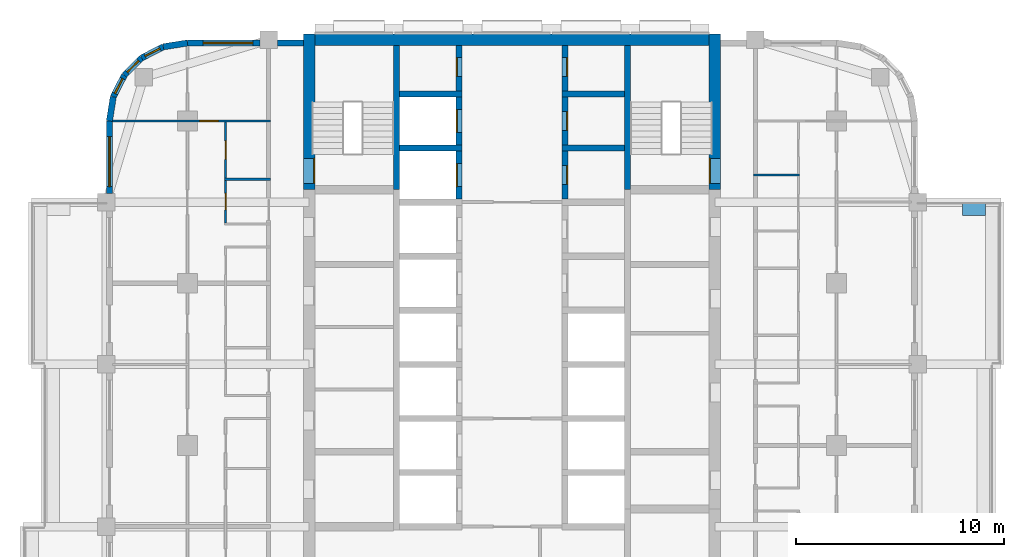
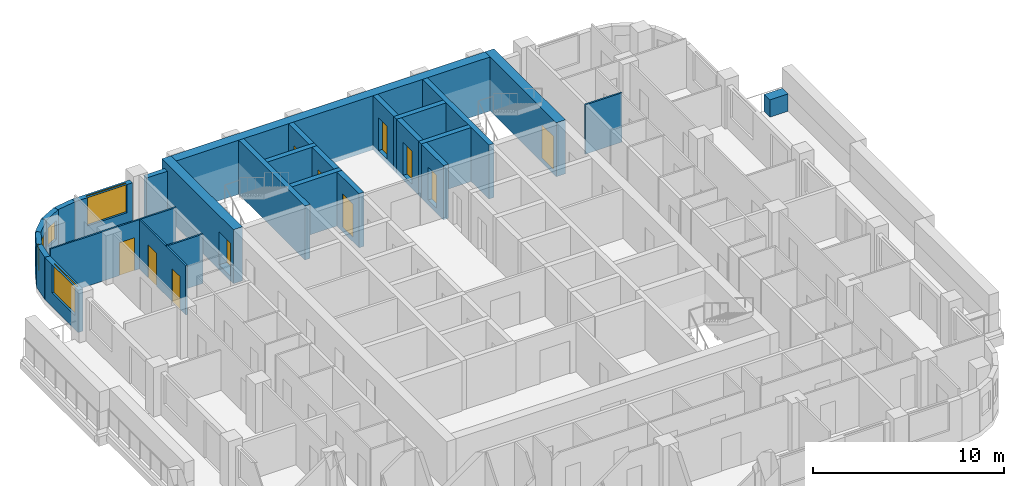
# One storey, part 8 of 13: 28 walls, 11 doors, 5 windows, 16 openings.
"""IFC4 building model written with IfcOpenShell, lengths in metres."""

from ifc_helpers import new_model, si_unit, direction, frame, frame_2d, origin, place, context, subcontext, project, spatial, rectangle, extrude, material, layer, layer_set, type_object, element, fill, save


model = new_model("IFC4")

# Units and contexts
model_context = context("Model", 3, precision=1e-05, world=origin(), true_north=direction((0.0, 1.0)))
body_context = subcontext(model_context, "Body", "Model", "MODEL_VIEW")
ifc_project = project(units=[si_unit("LENGTHUNIT", "METRE"), si_unit("AREAUNIT", "SQUARE_METRE"), si_unit("VOLUMEUNIT", "CUBIC_METRE"), si_unit("PLANEANGLEUNIT", "RADIAN"), si_unit("MASSUNIT", "GRAM", prefix="KILO")], contexts=[model_context])

# Site, building, storey
site_placement = place(None, origin())
site = spatial("IfcSite", under=ifc_project, at=site_placement, CompositionType="ELEMENT")
building_placement = place(site_placement, origin())
building = spatial("IfcBuilding", under=site, at=building_placement, Name="Ludao Terraces", CompositionType="ELEMENT")
storey_placement = place(building_placement, frame((0.0, 0.0, 123.699951171875)))
storey = spatial("IfcBuildingStorey", under=building, at=storey_placement, Name="L33", CompositionType="ELEMENT", Elevation=123.699951171875)

# Wall, opening, door
ifc_material_1 = material(Name="Concrete C60", Category="concrete")
ifc_layer_1 = layer(ifc_material_1, 0.550048828125)
ifc_layer_set_1 = layer_set([ifc_layer_1], Name="Core wall 550 C60")
wall_type_1 = type_object("IfcWallType", Name="Core wall 550 C60", PredefinedType="SOLIDWALL", material=ifc_layer_set_1)
wall_1_placement = place(storey_placement, frame((75.25, 77.300048828125, -0.300048828125), z_axis=(0.0, 0.0, 1.0), x_axis=(0.0, 1.0, 0.0)))
wall_1 = element("IfcWall", 1, at=wall_1_placement, inside=storey, type_object=wall_type_1, Name="Core wall L33 outer-W-S1", PredefinedType="SOLIDWALL", context=body_context, shape_type="SweptSolid", body=[
    extrude(rectangle(XDim=7.474853515625, YDim=0.550048828125, at=frame_2d((3.7373046875, 0.0))), origin(), (0.0, 0.0, 1.0), 3.4501953125),
])
opening_1_placement = place(wall_1_placement, frame((0.300048828125, 0.0, 0.300048828125)))
opening_1 = element("IfcOpeningElement", 2, at=opening_1_placement, cuts=wall_1, Name="Opening R10-082", PredefinedType="OPENING", context=body_context, shape_type="SweptSolid", body=[
    extrude(rectangle(XDim=1.199951171875, YDim=2.10009765625, at=frame_2d((0.60009765625, 1.050048828125))), frame((0.0, 0.28515625, 0.0), z_axis=(0.0, -1.0, 0.0), x_axis=(1.0, 0.0, 0.0)), (0.0, 0.0, 1.0), 0.570068359375),
])
ifc_material_2 = material(Name="Steel Q235", Category="steel")
door_type_1 = type_object("IfcDoorType", Name="INT Stair door 1200", OperationType="DOUBLE_DOOR_SINGLE_SWING", PredefinedType="DOOR", material=ifc_material_2)
door_1_placement = place(opening_1_placement, origin())
door_1 = element("IfcDoor", 3, at=door_1_placement, inside=storey, type_object=door_type_1, Name="DOOR 082", OperationType="DOUBLE_DOOR_SINGLE_SWING", OverallHeight=2.10009765625, OverallWidth=1.199951171875, PredefinedType="DOOR", context=body_context, shape_type="SweptSolid", body=[
    extrude(rectangle(XDim=1.199951171875, YDim=2.10009765625, at=frame_2d((0.60009765625, 1.050048828125))), frame((0.0, -0.2099609375, 0.0), z_axis=(0.0, -1.0, 0.0), x_axis=(1.0, 0.0, 0.0)), (0.0, 0.0, 1.0), 0.050048828125),
])
fill(opening_1, door_1)

wall_2_placement = place(storey_placement, frame((94.75, 77.300048828125, -0.300048828125), z_axis=(0.0, 0.0, 1.0), x_axis=(0.0, 1.0, 0.0)))
wall_2 = element("IfcWall", 4, at=wall_2_placement, inside=storey, type_object=wall_type_1, Name="Core wall L33 outer-E-S2", PredefinedType="SOLIDWALL", context=body_context, shape_type="SweptSolid", body=[
    extrude(rectangle(XDim=7.474853515625, YDim=0.550048828125, at=frame_2d((3.7373046875, 0.0))), origin(), (0.0, 0.0, 1.0), 3.4501953125),
])
opening_2_placement = place(wall_2_placement, frame((0.300048828125, 0.0, 0.300048828125)))
opening_2 = element("IfcOpeningElement", 5, at=opening_2_placement, cuts=wall_2, Name="Opening R10-083", PredefinedType="OPENING", context=body_context, shape_type="SweptSolid", body=[
    extrude(rectangle(XDim=1.199951171875, YDim=2.10009765625, at=frame_2d((0.60009765625, 1.050048828125))), frame((0.0, 0.28515625, 0.0), z_axis=(0.0, -1.0, 0.0), x_axis=(1.0, 0.0, 0.0)), (0.0, 0.0, 1.0), 0.570068359375),
])
door_2_placement = place(opening_2_placement, origin())
door_2 = element("IfcDoor", 6, at=door_2_placement, inside=storey, type_object=door_type_1, Name="DOOR 083", OperationType="DOUBLE_DOOR_SINGLE_SWING", OverallHeight=2.10009765625, OverallWidth=1.199951171875, PredefinedType="DOOR", context=body_context, shape_type="SweptSolid", body=[
    extrude(rectangle(XDim=1.199951171875, YDim=2.10009765625, at=frame_2d((0.60009765625, 1.050048828125))), frame((0.0, 0.26025390625, 0.0), z_axis=(0.0, -1.0, 0.0), x_axis=(1.0, 0.0, 0.0)), (0.0, 0.0, 1.0), 0.050048828125),
])
fill(opening_2, door_2)

# Walls
wall_3_placement = place(storey_placement, frame((75.52490234375, 84.5, -0.300048828125), z_axis=(0.0, 0.0, 1.0), x_axis=(1.0, 0.0, 0.0)))
element("IfcWall", 7, at=wall_3_placement, inside=storey, type_object=wall_type_1, Name="Core wall L33 outer-N", PredefinedType="SOLIDWALL", context=body_context, shape_type="SweptSolid", body=[
    extrude(rectangle(XDim=18.9501953125, YDim=0.550048828125, at=frame_2d((9.47509765625, 0.0))), origin(), (0.0, 0.0, 1.0), 3.4501953125),
])
ifc_material_3 = material(Name="Concrete C40", Category="concrete")
ifc_layer_2 = layer(ifc_material_3, 0.60009765625)
ifc_layer_set_2 = layer_set([ifc_layer_2], Name="ENV Planter trough 600")
wall_type_2 = type_object("IfcWallType", Name="ENV Planter trough 600", PredefinedType="USERDEFINED", material=ifc_layer_set_2)
wall_4_placement = place(storey_placement, frame((107.75, 76.35009765625, 0.0), z_axis=(0.0, 0.0, 1.0), x_axis=(-1.0, 0.0, 0.0)))
element("IfcWall", 8, at=wall_4_placement, inside=storey, type_object=wall_type_2, Name="PL-L33-E3-SB", ObjectType="PLANTER", PredefinedType="USERDEFINED", context=body_context, shape_type="SweptSolid", body=[
    extrude(rectangle(XDim=1.10009765625, YDim=0.60009765625, at=frame_2d((0.550048828125, 0.0))), origin(), (0.0, 0.0, 1.0), 1.10009765625),
])

# Wall, opening, window
ifc_material_4 = material(Name="Granite cladding", Category="masonry")
ifc_layer_3 = layer(ifc_material_4, 0.0400390625, Category="stone")
ifc_material_5 = material(Name="Mineral wool")
ifc_layer_4 = layer(ifc_material_5, 0.06005859375)
ifc_layer_5 = layer(ifc_material_3, 0.199951171875, Category="concrete")
ifc_layer_set_3 = layer_set([ifc_layer_3, ifc_layer_4, ifc_layer_5], Name="ENV Stone-clad wall 300")
wall_type_3 = type_object("IfcWallType", Name="ENV Stone-clad wall 300", PredefinedType="SOLIDWALL", material=ifc_layer_set_3)
wall_5_placement = place(storey_placement, frame((69.39990234375, 84.35009765625, 0.0), z_axis=(0.0, 0.0, 1.0), x_axis=(1.0, 0.0, 0.0)))
wall_5 = element("IfcWall", 9, at=wall_5_placement, inside=storey, type_object=wall_type_3, Name="EW-L33-N1", PredefinedType="SOLIDWALL", context=body_context, shape_type="SweptSolid", body=[
    extrude(rectangle(XDim=3.47509765625, YDim=0.300048828125, at=frame_2d((1.737548828125, 0.0))), origin(), (0.0, 0.0, 1.0), 2.699951171875),
])
opening_3_placement = place(wall_5_placement, frame((0.75, 0.0, 0.89990234375)))
opening_3 = element("IfcOpeningElement", 10, at=opening_3_placement, cuts=wall_5, Name="Opening W1", PredefinedType="OPENING", context=body_context, shape_type="SweptSolid", body=[
    extrude(rectangle(XDim=2.39990234375, YDim=1.800048828125, at=frame_2d((1.199951171875, 0.89990234375))), frame((0.0, 0.16015625, 0.0), z_axis=(0.0, -1.0, 0.0), x_axis=(1.0, 0.0, 0.0)), (0.0, 0.0, 1.0), 0.320068359375),
])
ifc_material_6 = material(Name="Clear glass in aluminium frame", Category="aluminium")
ifc_layer_6 = layer(ifc_material_6, 0.06005859375)
ifc_layer_set_4 = layer_set([ifc_layer_6], Name="ENV Window W1 2400x1800")
window_type_1 = type_object("IfcWindowType", Name="ENV Window W1 2400x1800", PartitioningType="DOUBLE_PANEL_VERTICAL", PredefinedType="WINDOW", material=ifc_layer_set_4)
window_1_placement = place(opening_3_placement, origin())
window_1 = element("IfcWindow", 11, at=window_1_placement, inside=storey, type_object=window_type_1, Name="W-L33-N1-1", OverallHeight=1.800048828125, OverallWidth=2.39990234375, PartitioningType="DOUBLE_PANEL_VERTICAL", PredefinedType="WINDOW", context=body_context, shape_type="SweptSolid", body=[
    extrude(rectangle(XDim=2.39990234375, YDim=1.800048828125, at=frame_2d((1.199951171875, 0.89990234375))), frame((0.0, 0.030029296875, 0.0), z_axis=(0.0, -1.0, 0.0), x_axis=(1.0, 0.0, 0.0)), (0.0, 0.0, 1.0), 0.06005859375),
])
fill(opening_3, window_1)

# Wall
wall_6_placement = place(storey_placement, frame((73.72509765625, 84.35009765625, 0.0), z_axis=(0.0, 0.0, 1.0), x_axis=(1.0, 0.0, 0.0)))
element("IfcWall", 12, at=wall_6_placement, inside=storey, type_object=wall_type_3, Name="EW-L33-N2", PredefinedType="SOLIDWALL", context=body_context, shape_type="SweptSolid", body=[
    extrude(rectangle(XDim=1.25, YDim=0.300048828125, at=frame_2d((0.625, 0.0))), origin(), (0.0, 0.0, 1.0), 2.699951171875),
])

# Wall, opening, window
wall_7_placement = place(storey_placement, frame((65.64990234375, 77.125, 0.0), z_axis=(0.0, 0.0, 1.0), x_axis=(0.0, 1.0, 0.0)))
wall_7 = element("IfcWall", 13, at=wall_7_placement, inside=storey, type_object=wall_type_3, Name="EW-L33-W5", PredefinedType="SOLIDWALL", context=body_context, shape_type="SweptSolid", body=[
    extrude(rectangle(XDim=3.47509765625, YDim=0.300048828125, at=frame_2d((1.737548828125, 0.0))), origin(), (0.0, 0.0, 1.0), 2.699951171875),
])
opening_4_placement = place(wall_7_placement, frame((0.324951171875, 0.0, 0.89990234375)))
opening_4 = element("IfcOpeningElement", 14, at=opening_4_placement, cuts=wall_7, Name="Opening W1", PredefinedType="OPENING", context=body_context, shape_type="SweptSolid", body=[
    extrude(rectangle(XDim=2.39990234375, YDim=1.800048828125, at=frame_2d((1.199951171875, 0.89990234375))), frame((0.0, 0.16015625, 0.0), z_axis=(0.0, -1.0, 0.0), x_axis=(1.0, 0.0, 0.0)), (0.0, 0.0, 1.0), 0.320068359375),
])
window_2_placement = place(opening_4_placement, origin())
window_2 = element("IfcWindow", 15, at=window_2_placement, inside=storey, type_object=window_type_1, Name="W-L33-W5-1", OverallHeight=1.800048828125, OverallWidth=2.39990234375, PartitioningType="DOUBLE_PANEL_VERTICAL", PredefinedType="WINDOW", context=body_context, shape_type="SweptSolid", body=[
    extrude(rectangle(XDim=2.39990234375, YDim=1.800048828125, at=frame_2d((1.199951171875, 0.89990234375))), frame((0.0, 0.030029296875, 0.0), z_axis=(0.0, -1.0, 0.0), x_axis=(1.0, 0.0, 0.0)), (0.0, 0.0, 1.0), 0.06005859375),
])
fill(opening_4, window_2)

# Wall
wall_8_placement = place(storey_placement, frame((69.39990234375, 84.35009765625, 0.0), z_axis=(0.0, 0.0, 1.0), x_axis=(-0.987678452879, -0.156496880861, 0.0)))
element("IfcWall", 16, at=wall_8_placement, inside=storey, type_object=wall_type_3, Name="EW-L33-NW1", PredefinedType="SOLIDWALL", context=body_context, shape_type="SweptSolid", body=[
    extrude(rectangle(XDim=1.173095703125, YDim=0.300048828125, at=frame_2d((0.58642578125, 0.0))), origin(), (0.0, 0.0, 1.0), 2.699951171875),
])

# Wall, opening, window
wall_9_placement = place(storey_placement, frame((68.2412109375, 84.16650390625, 0.0), z_axis=(0.0, 0.0, 1.0), x_axis=(-0.890988677504, -0.454025524128, 0.0)))
wall_9 = element("IfcWall", 17, at=wall_9_placement, inside=storey, type_object=wall_type_3, Name="EW-L33-NW2", PredefinedType="SOLIDWALL", context=body_context, shape_type="SweptSolid", body=[
    extrude(rectangle(XDim=1.17333984375, YDim=0.300048828125, at=frame_2d((0.586669921875, 0.0))), origin(), (0.0, 0.0, 1.0), 2.699951171875),
])
opening_5_placement = place(wall_9_placement, frame((0.1865234375, 0.0, 0.89990234375)))
opening_5 = element("IfcOpeningElement", 18, at=opening_5_placement, cuts=wall_9, Name="Opening W3", PredefinedType="OPENING", context=body_context, shape_type="SweptSolid", body=[
    extrude(rectangle(XDim=0.800048828125, YDim=1.199951171875, at=frame_2d((0.39990234375, 0.60009765625))), frame((0.0, 0.16015625, 0.0), z_axis=(0.0, -1.0, 0.0), x_axis=(1.0, 0.0, 0.0)), (0.0, 0.0, 1.0), 0.320068359375),
])
ifc_layer_7 = layer(ifc_material_6, 0.06005859375)
ifc_layer_set_5 = layer_set([ifc_layer_7], Name="ENV Window W3 800x1200")
window_type_2 = type_object("IfcWindowType", Name="ENV Window W3 800x1200", PartitioningType="SINGLE_PANEL", PredefinedType="WINDOW", material=ifc_layer_set_5)
window_3_placement = place(opening_5_placement, origin())
window_3 = element("IfcWindow", 19, at=window_3_placement, inside=storey, type_object=window_type_2, Name="W-L33-NW2", OverallHeight=1.199951171875, OverallWidth=0.800048828125, PartitioningType="SINGLE_PANEL", PredefinedType="WINDOW", context=body_context, shape_type="SweptSolid", body=[
    extrude(rectangle(XDim=0.800048828125, YDim=1.199951171875, at=frame_2d((0.39990234375, 0.60009765625))), frame((0.0, 0.030029296875, 0.0), z_axis=(0.0, -1.0, 0.0), x_axis=(1.0, 0.0, 0.0)), (0.0, 0.0, 1.0), 0.06005859375),
])
fill(opening_5, window_3)

wall_10_placement = place(storey_placement, frame((67.19580078125, 83.6337890625, 0.0), z_axis=(0.0, 0.0, 1.0), x_axis=(-0.707106781187, -0.707106781187, 0.0)))
wall_10 = element("IfcWall", 20, at=wall_10_placement, inside=storey, type_object=wall_type_3, Name="EW-L33-NW3", PredefinedType="SOLIDWALL", context=body_context, shape_type="SweptSolid", body=[
    extrude(rectangle(XDim=1.173095703125, YDim=0.300048828125, at=frame_2d((0.58642578125, 0.0))), origin(), (0.0, 0.0, 1.0), 2.699951171875),
])
opening_6_placement = place(wall_10_placement, frame((0.1865234375, 0.0, 0.89990234375)))
opening_6 = element("IfcOpeningElement", 21, at=opening_6_placement, cuts=wall_10, Name="Opening W3", PredefinedType="OPENING", context=body_context, shape_type="SweptSolid", body=[
    extrude(rectangle(XDim=0.800048828125, YDim=1.199951171875, at=frame_2d((0.39990234375, 0.60009765625))), frame((0.0, 0.16015625, 0.0), z_axis=(0.0, -1.0, 0.0), x_axis=(1.0, 0.0, 0.0)), (0.0, 0.0, 1.0), 0.320068359375),
])
window_4_placement = place(opening_6_placement, origin())
window_4 = element("IfcWindow", 22, at=window_4_placement, inside=storey, type_object=window_type_2, Name="W-L33-NW3", OverallHeight=1.199951171875, OverallWidth=0.800048828125, PartitioningType="SINGLE_PANEL", PredefinedType="WINDOW", context=body_context, shape_type="SweptSolid", body=[
    extrude(rectangle(XDim=0.800048828125, YDim=1.199951171875, at=frame_2d((0.39990234375, 0.60009765625))), frame((0.0, 0.030029296875, 0.0), z_axis=(0.0, -1.0, 0.0), x_axis=(1.0, 0.0, 0.0)), (0.0, 0.0, 1.0), 0.06005859375),
])
fill(opening_6, window_4)

wall_11_placement = place(storey_placement, frame((66.3662109375, 82.80419921875, 0.0), z_axis=(0.0, 0.0, 1.0), x_axis=(-0.454025524128, -0.890988677504, 0.0)))
wall_11 = element("IfcWall", 23, at=wall_11_placement, inside=storey, type_object=wall_type_3, Name="EW-L33-NW4", PredefinedType="SOLIDWALL", context=body_context, shape_type="SweptSolid", body=[
    extrude(rectangle(XDim=1.17333984375, YDim=0.300048828125, at=frame_2d((0.586669921875, 0.0))), origin(), (0.0, 0.0, 1.0), 2.699951171875),
])
opening_7_placement = place(wall_11_placement, frame((0.1865234375, 0.0, 0.89990234375)))
opening_7 = element("IfcOpeningElement", 24, at=opening_7_placement, cuts=wall_11, Name="Opening W3", PredefinedType="OPENING", context=body_context, shape_type="SweptSolid", body=[
    extrude(rectangle(XDim=0.800048828125, YDim=1.199951171875, at=frame_2d((0.39990234375, 0.60009765625))), frame((0.0, 0.16015625, 0.0), z_axis=(0.0, -1.0, 0.0), x_axis=(1.0, 0.0, 0.0)), (0.0, 0.0, 1.0), 0.320068359375),
])
window_5_placement = place(opening_7_placement, origin())
window_5 = element("IfcWindow", 25, at=window_5_placement, inside=storey, type_object=window_type_2, Name="W-L33-NW4", OverallHeight=1.199951171875, OverallWidth=0.800048828125, PartitioningType="SINGLE_PANEL", PredefinedType="WINDOW", context=body_context, shape_type="SweptSolid", body=[
    extrude(rectangle(XDim=0.800048828125, YDim=1.199951171875, at=frame_2d((0.39990234375, 0.60009765625))), frame((0.0, 0.030029296875, 0.0), z_axis=(0.0, -1.0, 0.0), x_axis=(1.0, 0.0, 0.0)), (0.0, 0.0, 1.0), 0.06005859375),
])
fill(opening_7, window_5)

# Walls
wall_12_placement = place(storey_placement, frame((65.83349609375, 81.7587890625, 0.0), z_axis=(0.0, 0.0, 1.0), x_axis=(-0.156496880861, -0.987678452879, 0.0)))
element("IfcWall", 26, at=wall_12_placement, inside=storey, type_object=wall_type_3, Name="EW-L33-NW5", PredefinedType="SOLIDWALL", context=body_context, shape_type="SweptSolid", body=[
    extrude(rectangle(XDim=1.173095703125, YDim=0.300048828125, at=frame_2d((0.58642578125, 0.0))), origin(), (0.0, 0.0, 1.0), 2.699951171875),
])
ifc_material_7 = material(Name="Gypsum plasterboard", Category="gypsum")
ifc_layer_8 = layer(ifc_material_7, 0.012451171875, Category="gypsum")
ifc_layer_9 = layer(ifc_material_5, 0.06005859375, Name="insulation")
ifc_layer_10 = layer(ifc_material_2, 0.014892578125, Name="stud")
ifc_layer_11 = layer(ifc_material_7, 0.012451171875, Category="gypsum")
ifc_layer_set_6 = layer_set([ifc_layer_8, ifc_layer_9, ifc_layer_10, ifc_layer_11], Name="INT Partition 100")
wall_type_4 = type_object("IfcWallType", Name="INT Partition 100", PredefinedType="PARTITIONING", material=ifc_layer_set_6)
for number, where, z_axis, x_axis, name in (
    (27, (71.18017578125, 77.800048828125, 0.0), (0.0, 0.0, 1.0), (1.0, 0.0, 0.0), "PW-L33-PW042"),
    (28, (96.60009765625, 78.0, 0.0), (0.0, 0.0, 1.0), (1.0, 0.0, 0.0), "PW-L33-PW043"),
):
    element("IfcWall", number, at=place(storey_placement, frame(where, z_axis=z_axis, x_axis=x_axis)), inside=storey, type_object=wall_type_4, Name=name, PredefinedType="PARTITIONING", context=body_context, shape_type="SweptSolid", body=[
        extrude(rectangle(XDim=2.219970703125, YDim=0.10009765625, at=frame_2d((1.10986328125, 0.0))), origin(), (0.0, 0.0, 1.0), 3.150146484375),
    ])

# Wall, opening, door
wall_13_placement = place(storey_placement, frame((65.800048828125, 80.60009765625, 0.0), z_axis=(0.0, 0.0, 1.0), x_axis=(1.0, 0.0, 0.0)))
wall_13 = element("IfcWall", 29, at=wall_13_placement, inside=storey, type_object=wall_type_4, Name="PW-L33-PW044", PredefinedType="PARTITIONING", context=body_context, shape_type="SweptSolid", body=[
    extrude(rectangle(XDim=7.60009765625, YDim=0.10009765625, at=frame_2d((3.800048828125, 0.0))), origin(), (0.0, 0.0, 1.0), 3.150146484375),
])
opening_8_placement = place(wall_13_placement, frame((4.18994140625, 0.0, 0.0)))
opening_8 = element("IfcOpeningElement", 30, at=opening_8_placement, cuts=wall_13, Name="Opening R10-087", PredefinedType="OPENING", context=body_context, shape_type="SweptSolid", body=[
    extrude(rectangle(XDim=0.89990234375, YDim=2.10009765625, at=frame_2d((0.449951171875, 1.050048828125))), frame((0.0, 0.06005859375, 0.0), z_axis=(0.0, -1.0, 0.0), x_axis=(1.0, 0.0, 0.0)), (0.0, 0.0, 1.0), 0.1201171875),
])
ifc_material_8 = material(Name="Timber door leaf", Category="wood")
door_type_2 = type_object("IfcDoorType", Name="INT Room door 900", OperationType="SINGLE_SWING_LEFT", PredefinedType="DOOR", material=ifc_material_8)
door_3_placement = place(opening_8_placement, origin())
door_3 = element("IfcDoor", 31, at=door_3_placement, inside=storey, type_object=door_type_2, Name="DOOR 087", OperationType="SINGLE_SWING_LEFT", OverallHeight=2.10009765625, OverallWidth=0.89990234375, PredefinedType="DOOR", context=body_context, shape_type="SweptSolid", body=[
    extrude(rectangle(XDim=0.89990234375, YDim=2.10009765625, at=frame_2d((0.449951171875, 1.050048828125))), frame((0.0, 0.02490234375, 0.0), z_axis=(0.0, -1.0, 0.0), x_axis=(1.0, 0.0, 0.0)), (0.0, 0.0, 1.0), 0.050048828125),
])
fill(opening_8, door_3)

# Wall, openings, doors
wall_14_placement = place(storey_placement, frame((71.22998046875, 75.7001953125, 0.0), z_axis=(0.0, 0.0, 1.0), x_axis=(0.0, 1.0, 0.0)))
wall_14 = element("IfcWall", 32, at=wall_14_placement, inside=storey, type_object=wall_type_4, Name="PW-L33-PW050", PredefinedType="PARTITIONING", context=body_context, shape_type="SweptSolid", body=[
    extrude(rectangle(XDim=4.849853515625, YDim=0.10009765625, at=frame_2d((2.4248046875, 0.0))), origin(), (0.0, 0.0, 1.0), 3.150146484375),
])
opening_9_placement = place(wall_14_placement, frame((0.625, 0.0, 0.0)))
opening_9 = element("IfcOpeningElement", 33, at=opening_9_placement, cuts=wall_14, Name="Opening R10-079", PredefinedType="OPENING", context=body_context, shape_type="SweptSolid", body=[
    extrude(rectangle(XDim=0.800048828125, YDim=2.10009765625, at=frame_2d((0.39990234375, 1.050048828125))), frame((0.0, 0.06005859375, 0.0), z_axis=(0.0, -1.0, 0.0), x_axis=(1.0, 0.0, 0.0)), (0.0, 0.0, 1.0), 0.1201171875),
])
opening_10_placement = place(wall_14_placement, frame((3.0498046875, 0.0, 0.0)))
opening_10 = element("IfcOpeningElement", 34, at=opening_10_placement, cuts=wall_14, Name="Opening R10-085", PredefinedType="OPENING", context=body_context, shape_type="SweptSolid", body=[
    extrude(rectangle(XDim=0.89990234375, YDim=2.10009765625, at=frame_2d((0.449951171875, 1.050048828125))), frame((0.0, 0.06005859375, 0.0), z_axis=(0.0, -1.0, 0.0), x_axis=(1.0, 0.0, 0.0)), (0.0, 0.0, 1.0), 0.1201171875),
])
door_4_placement = place(opening_10_placement, origin())
door_4 = element("IfcDoor", 35, at=door_4_placement, inside=storey, type_object=door_type_2, Name="DOOR 085", OperationType="SINGLE_SWING_RIGHT", OverallHeight=2.10009765625, OverallWidth=0.89990234375, PredefinedType="DOOR", context=body_context, shape_type="SweptSolid", body=[
    extrude(rectangle(XDim=0.89990234375, YDim=2.10009765625, at=frame_2d((0.449951171875, 1.050048828125))), frame((0.0, 0.02490234375, 0.0), z_axis=(0.0, -1.0, 0.0), x_axis=(1.0, 0.0, 0.0)), (0.0, 0.0, 1.0), 0.050048828125),
])
fill(opening_10, door_4)
door_type_3 = type_object("IfcDoorType", Name="INT Store door 800", OperationType="SINGLE_SWING_LEFT", PredefinedType="DOOR", material=ifc_material_8)
door_5_placement = place(opening_9_placement, origin())
door_5 = element("IfcDoor", 36, at=door_5_placement, inside=storey, type_object=door_type_3, Name="DOOR 079", OperationType="SINGLE_SWING_LEFT", OverallHeight=2.10009765625, OverallWidth=0.800048828125, PredefinedType="DOOR", context=body_context, shape_type="SweptSolid", body=[
    extrude(rectangle(XDim=0.800048828125, YDim=2.10009765625, at=frame_2d((0.39990234375, 1.050048828125))), frame((0.0, 0.02490234375, 0.0), z_axis=(0.0, -1.0, 0.0), x_axis=(1.0, 0.0, 0.0)), (0.0, 0.0, 1.0), 0.050048828125),
])
fill(opening_9, door_5)

# Walls
ifc_material_9 = material(Name="Concrete C55", Category="concrete")
ifc_layer_12 = layer(ifc_material_9, 0.300048828125)
ifc_layer_set_7 = layer_set([ifc_layer_12], Name="Shaft wall 300 C55")
wall_type_5 = type_object("IfcWallType", Name="Shaft wall 300 C55", PredefinedType="SOLIDWALL", material=ifc_layer_set_7)
for number, where, z_axis, x_axis, name in (
    (37, (79.449951171875, 77.300048828125, -0.300048828125), (0.0, 0.0, 1.0), (0.0, 1.0, 0.0), "Core wall L33 back-W-S1"),
    (38, (90.550048828125, 77.300048828125, -0.300048828125), (0.0, 0.0, 1.0), (0.0, 1.0, 0.0), "Core wall L33 back-E-S2"),
):
    element("IfcWall", number, at=place(storey_placement, frame(where, z_axis=z_axis, x_axis=x_axis)), inside=storey, type_object=wall_type_5, Name=name, PredefinedType="SOLIDWALL", context=body_context, shape_type="SweptSolid", body=[
        extrude(rectangle(XDim=6.925048828125, YDim=0.300048828125, at=frame_2d((3.46240234375, 0.0))), origin(), (0.0, 0.0, 1.0), 3.4501953125),
    ])

# Wall, opening, door
wall_15_placement = place(storey_placement, frame((82.449951171875, 76.85009765625, -0.300048828125), z_axis=(0.0, 0.0, 1.0), x_axis=(0.0, 1.0, 0.0)))
wall_15 = element("IfcWall", 39, at=wall_15_placement, inside=storey, type_object=wall_type_5, Name="Core wall L33 front-W7", PredefinedType="SOLIDWALL", context=body_context, shape_type="SweptSolid", body=[
    extrude(rectangle(XDim=2.2998046875, YDim=0.300048828125, at=frame_2d((1.14990234375, 0.0))), origin(), (0.0, 0.0, 1.0), 3.4501953125),
])
opening_11_placement = place(wall_15_placement, frame((0.60009765625, 0.0, 0.300048828125)))
opening_11 = element("IfcOpeningElement", 40, at=opening_11_placement, cuts=wall_15, Name="Opening LD-FF1", PredefinedType="OPENING", context=body_context, shape_type="SweptSolid", body=[
    extrude(rectangle(XDim=1.10009765625, YDim=2.10009765625, at=frame_2d((0.550048828125, 1.050048828125))), frame((0.0, 0.16015625, 0.0), z_axis=(0.0, -1.0, 0.0), x_axis=(1.0, 0.0, 0.0)), (0.0, 0.0, 1.0), 0.320068359375),
])
ifc_material_10 = material(Name="Stainless steel 304", Category="steel")
door_type_4 = type_object("IfcDoorType", Name="INT Lift landing door 1100", OperationType="SLIDING_TO_LEFT", PredefinedType="DOOR", material=ifc_material_10)
door_6_placement = place(opening_11_placement, origin())
door_6 = element("IfcDoor", 41, at=door_6_placement, inside=storey, type_object=door_type_4, Name="LANDING DOOR FF1 L33", OperationType="SLIDING_TO_LEFT", OverallHeight=2.10009765625, OverallWidth=1.10009765625, PredefinedType="DOOR", context=body_context, shape_type="SweptSolid", body=[
    extrude(rectangle(XDim=1.10009765625, YDim=2.10009765625, at=frame_2d((0.550048828125, 1.050048828125))), frame((0.0, 0.13525390625, 0.0), z_axis=(0.0, -1.0, 0.0), x_axis=(1.0, 0.0, 0.0)), (0.0, 0.0, 1.0), 0.050048828125),
])
fill(opening_11, door_6)

# Wall
wall_16_placement = place(storey_placement, frame((79.60009765625, 79.300048828125, -0.300048828125), z_axis=(0.0, 0.0, 1.0), x_axis=(1.0, 0.0, 0.0)))
element("IfcWall", 42, at=wall_16_placement, inside=storey, type_object=wall_type_5, Name="Core wall L33 div-W8", PredefinedType="SOLIDWALL", context=body_context, shape_type="SweptSolid", body=[
    extrude(rectangle(XDim=3.0, YDim=0.300048828125, at=frame_2d((1.5, 0.0))), origin(), (0.0, 0.0, 1.0), 3.4501953125),
])

# Wall, opening, door
wall_17_placement = place(storey_placement, frame((82.449951171875, 79.449951171875, -0.300048828125), z_axis=(0.0, 0.0, 1.0), x_axis=(0.0, 1.0, 0.0)))
wall_17 = element("IfcWall", 43, at=wall_17_placement, inside=storey, type_object=wall_type_5, Name="Core wall L33 front-W8", PredefinedType="SOLIDWALL", context=body_context, shape_type="SweptSolid", body=[
    extrude(rectangle(XDim=2.300048828125, YDim=0.300048828125, at=frame_2d((1.14990234375, 0.0))), origin(), (0.0, 0.0, 1.0), 3.4501953125),
])
opening_12_placement = place(wall_17_placement, frame((0.60009765625, 0.0, 0.300048828125)))
opening_12 = element("IfcOpeningElement", 44, at=opening_12_placement, cuts=wall_17, Name="Opening LD-FF2", PredefinedType="OPENING", context=body_context, shape_type="SweptSolid", body=[
    extrude(rectangle(XDim=1.10009765625, YDim=2.10009765625, at=frame_2d((0.550048828125, 1.050048828125))), frame((0.0, 0.16015625, 0.0), z_axis=(0.0, -1.0, 0.0), x_axis=(1.0, 0.0, 0.0)), (0.0, 0.0, 1.0), 0.320068359375),
])
door_7_placement = place(opening_12_placement, origin())
door_7 = element("IfcDoor", 45, at=door_7_placement, inside=storey, type_object=door_type_4, Name="LANDING DOOR FF2 L33", OperationType="SLIDING_TO_LEFT", OverallHeight=2.10009765625, OverallWidth=1.10009765625, PredefinedType="DOOR", context=body_context, shape_type="SweptSolid", body=[
    extrude(rectangle(XDim=1.10009765625, YDim=2.10009765625, at=frame_2d((0.550048828125, 1.050048828125))), frame((0.0, 0.13525390625, 0.0), z_axis=(0.0, -1.0, 0.0), x_axis=(1.0, 0.0, 0.0)), (0.0, 0.0, 1.0), 0.050048828125),
])
fill(opening_12, door_7)

# Wall
wall_18_placement = place(storey_placement, frame((79.60009765625, 81.89990234375, -0.300048828125), z_axis=(0.0, 0.0, 1.0), x_axis=(1.0, 0.0, 0.0)))
element("IfcWall", 46, at=wall_18_placement, inside=storey, type_object=wall_type_5, Name="Core wall L33 div-W9", PredefinedType="SOLIDWALL", context=body_context, shape_type="SweptSolid", body=[
    extrude(rectangle(XDim=3.0, YDim=0.300048828125, at=frame_2d((1.5, 0.0))), origin(), (0.0, 0.0, 1.0), 3.4501953125),
])

# Wall, opening, door
wall_19_placement = place(storey_placement, frame((82.449951171875, 82.050048828125, -0.300048828125), z_axis=(0.0, 0.0, 1.0), x_axis=(0.0, 1.0, 0.0)))
wall_19 = element("IfcWall", 47, at=wall_19_placement, inside=storey, type_object=wall_type_5, Name="Core wall L33 front-W9", PredefinedType="SOLIDWALL", context=body_context, shape_type="SweptSolid", body=[
    extrude(rectangle(XDim=2.175048828125, YDim=0.300048828125, at=frame_2d((1.08740234375, 0.0))), origin(), (0.0, 0.0, 1.0), 3.4501953125),
])
opening_13_placement = place(wall_19_placement, frame((0.699951171875, 0.0, 0.300048828125)))
opening_13 = element("IfcOpeningElement", 48, at=opening_13_placement, cuts=wall_19, Name="Opening R10-093", PredefinedType="OPENING", context=body_context, shape_type="SweptSolid", body=[
    extrude(rectangle(XDim=0.89990234375, YDim=2.10009765625, at=frame_2d((0.449951171875, 1.050048828125))), frame((0.0, 0.16015625, 0.0), z_axis=(0.0, -1.0, 0.0), x_axis=(1.0, 0.0, 0.0)), (0.0, 0.0, 1.0), 0.320068359375),
])
door_8_placement = place(opening_13_placement, origin())
door_8 = element("IfcDoor", 49, at=door_8_placement, inside=storey, type_object=door_type_2, Name="DOOR 093", OperationType="SINGLE_SWING_RIGHT", OverallHeight=2.10009765625, OverallWidth=0.89990234375, PredefinedType="DOOR", context=body_context, shape_type="SweptSolid", body=[
    extrude(rectangle(XDim=0.89990234375, YDim=2.10009765625, at=frame_2d((0.449951171875, 1.050048828125))), frame((0.0, 0.13525390625, 0.0), z_axis=(0.0, -1.0, 0.0), x_axis=(1.0, 0.0, 0.0)), (0.0, 0.0, 1.0), 0.050048828125),
])
fill(opening_13, door_8)

wall_20_placement = place(storey_placement, frame((87.550048828125, 76.85009765625, -0.300048828125), z_axis=(0.0, 0.0, 1.0), x_axis=(0.0, 1.0, 0.0)))
wall_20 = element("IfcWall", 50, at=wall_20_placement, inside=storey, type_object=wall_type_5, Name="Core wall L33 front-E7", PredefinedType="SOLIDWALL", context=body_context, shape_type="SweptSolid", body=[
    extrude(rectangle(XDim=2.2998046875, YDim=0.300048828125, at=frame_2d((1.14990234375, 0.0))), origin(), (0.0, 0.0, 1.0), 3.4501953125),
])
opening_14_placement = place(wall_20_placement, frame((0.699951171875, 0.0, 0.300048828125)))
opening_14 = element("IfcOpeningElement", 51, at=opening_14_placement, cuts=wall_20, Name="Opening R10-081", PredefinedType="OPENING", context=body_context, shape_type="SweptSolid", body=[
    extrude(rectangle(XDim=0.89990234375, YDim=2.10009765625, at=frame_2d((0.449951171875, 1.050048828125))), frame((0.0, 0.16015625, 0.0), z_axis=(0.0, -1.0, 0.0), x_axis=(1.0, 0.0, 0.0)), (0.0, 0.0, 1.0), 0.320068359375),
])
door_9_placement = place(opening_14_placement, origin())
door_9 = element("IfcDoor", 52, at=door_9_placement, inside=storey, type_object=door_type_2, Name="DOOR 081", OperationType="SINGLE_SWING_RIGHT", OverallHeight=2.10009765625, OverallWidth=0.89990234375, PredefinedType="DOOR", context=body_context, shape_type="SweptSolid", body=[
    extrude(rectangle(XDim=0.89990234375, YDim=2.10009765625, at=frame_2d((0.449951171875, 1.050048828125))), frame((0.0, -0.0849609375, 0.0), z_axis=(0.0, -1.0, 0.0), x_axis=(1.0, 0.0, 0.0)), (0.0, 0.0, 1.0), 0.050048828125),
])
fill(opening_14, door_9)

# Wall
wall_21_placement = place(storey_placement, frame((87.39990234375, 79.300048828125, -0.300048828125), z_axis=(0.0, 0.0, 1.0), x_axis=(1.0, 0.0, 0.0)))
element("IfcWall", 53, at=wall_21_placement, inside=storey, type_object=wall_type_5, Name="Core wall L33 div-E8", PredefinedType="SOLIDWALL", context=body_context, shape_type="SweptSolid", body=[
    extrude(rectangle(XDim=3.0, YDim=0.300048828125, at=frame_2d((1.5, 0.0))), origin(), (0.0, 0.0, 1.0), 3.4501953125),
])

# Wall, opening, door
wall_22_placement = place(storey_placement, frame((87.550048828125, 79.449951171875, -0.300048828125), z_axis=(0.0, 0.0, 1.0), x_axis=(0.0, 1.0, 0.0)))
wall_22 = element("IfcWall", 54, at=wall_22_placement, inside=storey, type_object=wall_type_5, Name="Core wall L33 front-E8", PredefinedType="SOLIDWALL", context=body_context, shape_type="SweptSolid", body=[
    extrude(rectangle(XDim=2.300048828125, YDim=0.300048828125, at=frame_2d((1.14990234375, 0.0))), origin(), (0.0, 0.0, 1.0), 3.4501953125),
])
opening_15_placement = place(wall_22_placement, frame((0.699951171875, 0.0, 0.300048828125)))
opening_15 = element("IfcOpeningElement", 55, at=opening_15_placement, cuts=wall_22, Name="Opening R10-089", PredefinedType="OPENING", context=body_context, shape_type="SweptSolid", body=[
    extrude(rectangle(XDim=0.89990234375, YDim=2.10009765625, at=frame_2d((0.449951171875, 1.050048828125))), frame((0.0, 0.16015625, 0.0), z_axis=(0.0, -1.0, 0.0), x_axis=(1.0, 0.0, 0.0)), (0.0, 0.0, 1.0), 0.320068359375),
])
door_10_placement = place(opening_15_placement, origin())
door_10 = element("IfcDoor", 56, at=door_10_placement, inside=storey, type_object=door_type_2, Name="DOOR 089", OperationType="SINGLE_SWING_LEFT", OverallHeight=2.10009765625, OverallWidth=0.89990234375, PredefinedType="DOOR", context=body_context, shape_type="SweptSolid", body=[
    extrude(rectangle(XDim=0.89990234375, YDim=2.10009765625, at=frame_2d((0.449951171875, 1.050048828125))), frame((0.0, -0.0849609375, 0.0), z_axis=(0.0, -1.0, 0.0), x_axis=(1.0, 0.0, 0.0)), (0.0, 0.0, 1.0), 0.050048828125),
])
fill(opening_15, door_10)

# Wall
wall_23_placement = place(storey_placement, frame((87.39990234375, 81.89990234375, -0.300048828125), z_axis=(0.0, 0.0, 1.0), x_axis=(1.0, 0.0, 0.0)))
element("IfcWall", 57, at=wall_23_placement, inside=storey, type_object=wall_type_5, Name="Core wall L33 div-E9", PredefinedType="SOLIDWALL", context=body_context, shape_type="SweptSolid", body=[
    extrude(rectangle(XDim=3.0, YDim=0.300048828125, at=frame_2d((1.5, 0.0))), origin(), (0.0, 0.0, 1.0), 3.4501953125),
])

# Wall, opening, door
wall_24_placement = place(storey_placement, frame((87.550048828125, 82.050048828125, -0.300048828125), z_axis=(0.0, 0.0, 1.0), x_axis=(0.0, 1.0, 0.0)))
wall_24 = element("IfcWall", 58, at=wall_24_placement, inside=storey, type_object=wall_type_5, Name="Core wall L33 front-E9", PredefinedType="SOLIDWALL", context=body_context, shape_type="SweptSolid", body=[
    extrude(rectangle(XDim=2.175048828125, YDim=0.300048828125, at=frame_2d((1.08740234375, 0.0))), origin(), (0.0, 0.0, 1.0), 3.4501953125),
])
opening_16_placement = place(wall_24_placement, frame((0.699951171875, 0.0, 0.300048828125)))
opening_16 = element("IfcOpeningElement", 59, at=opening_16_placement, cuts=wall_24, Name="Opening R10-094", PredefinedType="OPENING", context=body_context, shape_type="SweptSolid", body=[
    extrude(rectangle(XDim=0.89990234375, YDim=2.10009765625, at=frame_2d((0.449951171875, 1.050048828125))), frame((0.0, 0.16015625, 0.0), z_axis=(0.0, -1.0, 0.0), x_axis=(1.0, 0.0, 0.0)), (0.0, 0.0, 1.0), 0.320068359375),
])
door_11_placement = place(opening_16_placement, origin())
door_11 = element("IfcDoor", 60, at=door_11_placement, inside=storey, type_object=door_type_2, Name="DOOR 094", OperationType="SINGLE_SWING_LEFT", OverallHeight=2.10009765625, OverallWidth=0.89990234375, PredefinedType="DOOR", context=body_context, shape_type="SweptSolid", body=[
    extrude(rectangle(XDim=0.89990234375, YDim=2.10009765625, at=frame_2d((0.449951171875, 1.050048828125))), frame((0.0, -0.0849609375, 0.0), z_axis=(0.0, -1.0, 0.0), x_axis=(1.0, 0.0, 0.0)), (0.0, 0.0, 1.0), 0.050048828125),
])
fill(opening_16, door_11)

save(model, "model.ifc")
